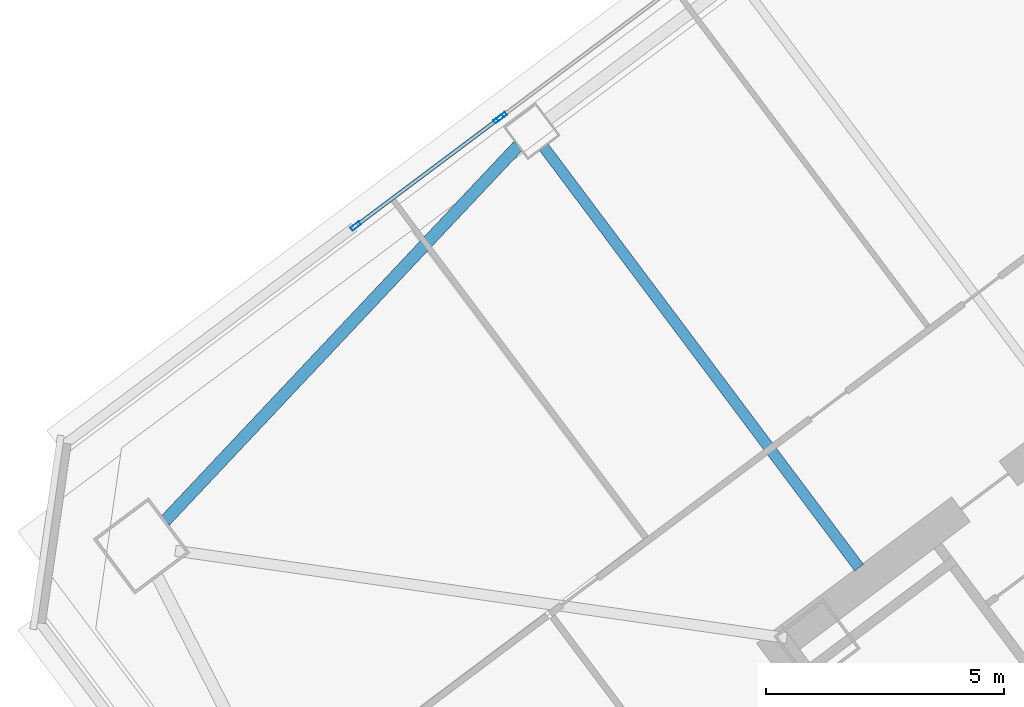
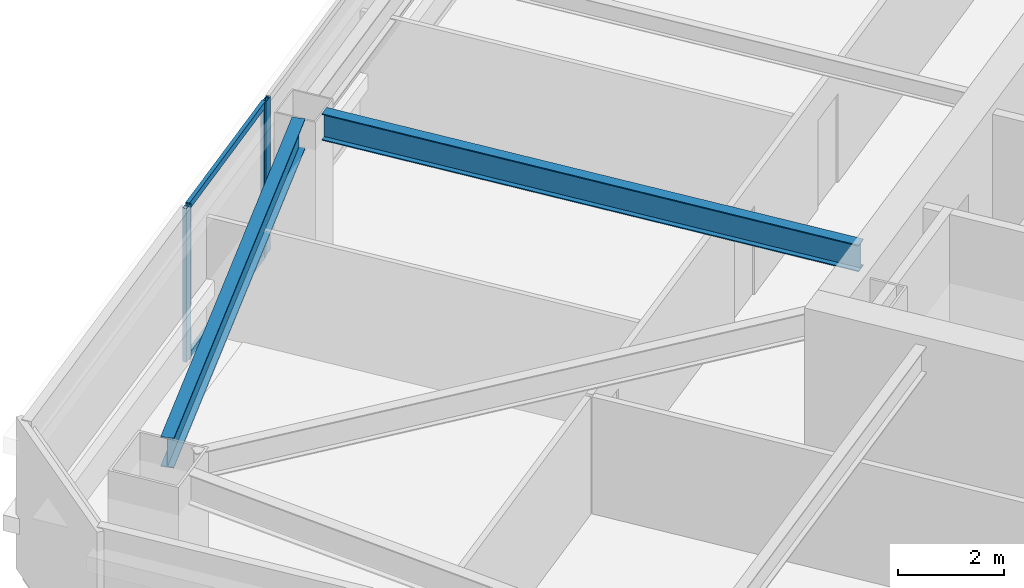
# One storey, part 27 of 44: 5 members, 2 beams, 2 elements without a shape of their own.
"""IFC4 building model written with IfcOpenShell, lengths in metres."""

from ifc_helpers import new_model, si_unit, direction, frame, origin, origin_2d, place, context, subcontext, project, spatial, hollow_rectangle, i_section, extrude, material, material_profile, profile_set, type_object, element, aggregate, save


model = new_model("IFC4")

# Units and contexts
model_context = context("Model", 3, precision=1e-05, world=origin(), true_north=direction((0.0, 1.0)))
body_context = subcontext(model_context, "Body", "Model", "MODEL_VIEW")
ifc_project = project(units=[si_unit("LENGTHUNIT", "METRE"), si_unit("AREAUNIT", "SQUARE_METRE"), si_unit("VOLUMEUNIT", "CUBIC_METRE"), si_unit("PLANEANGLEUNIT", "RADIAN"), si_unit("MASSUNIT", "GRAM", prefix="KILO")], contexts=[model_context])

# Site, building, storey
site_placement = place(None, origin())
site = spatial("IfcSite", under=ifc_project, at=site_placement, CompositionType="ELEMENT")
building_placement = place(site_placement, origin())
building = spatial("IfcBuilding", under=site, at=building_placement, Name="Tashvorn Skyway Center", CompositionType="ELEMENT")
storey_placement = place(building_placement, frame((0.0, 0.0, 74.300048828125)))
storey = spatial("IfcBuildingStorey", under=building, at=storey_placement, Name="L19", CompositionType="ELEMENT", Elevation=74.300048828125)

# Beams
ifc_material_1 = material(Name="Steel ASTM A992 Grade 50", Category="steel")
ifc_material_profile_1 = material_profile(ifc_material_1, i_section(OverallWidth=0.22998046875, OverallDepth=0.616943359375, WebThickness=0.01318359375, FlangeThickness=0.022216796875, at=origin_2d()), Name="W24X94")
ifc_profile_set_1 = profile_set([ifc_material_profile_1], Name="Steel ASTM A992 Grade 50")
beam_type_1 = type_object("IfcBeamType", Name="BM-BEAM-W24X94", PredefinedType="BEAM", material=ifc_profile_set_1)
beam_1_placement = place(storey_placement, frame((98.382080078125, 43.823974609375, 3.04150390625), z_axis=(0.599989394744, -0.800007953832, 0.0), x_axis=(0.800007953832, 0.599989394744, 0.0)))
element("IfcBeam", 1, at=beam_1_placement, inside=storey, type_object=beam_type_1, Name="Tower 2 L19 Primary Floor Girder FC-N2", PredefinedType="BEAM", context=body_context, shape_type="SweptSolid", body=[
    extrude(i_section(OverallWidth=0.22998046875, OverallDepth=0.616943359375, WebThickness=0.01318359375, FlangeThickness=0.022216796875, at=origin_2d()), origin(), (0.0, 0.0, 1.0), 11.050048828125),
])
ifc_material_profile_2 = material_profile(ifc_material_1, i_section(OverallWidth=0.256103515625, OverallDepth=0.693115234375, WebThickness=0.014404296875, FlangeThickness=0.023681640625, at=origin_2d()), Name="W27X114")
ifc_profile_set_2 = profile_set([ifc_material_profile_2], Name="Steel ASTM A992 Grade 50")
beam_type_2 = type_object("IfcBeamType", Name="BM-SPANDREL-W27X114", PredefinedType="SPANDREL", material=ifc_profile_set_2)
beam_2_placement = place(storey_placement, frame((97.842041015625, 43.854248046875, 3.00341796875), z_axis=(-0.685484857238, -0.728086883893, 0.0), x_axis=(0.728086883893, -0.685484857238, 0.0)))
element("IfcBeam", 2, at=beam_2_placement, inside=storey, type_object=beam_type_2, Name="Tower 2 L19 Spandrel Beam 09", PredefinedType="SPANDREL", context=body_context, shape_type="SweptSolid", body=[
    extrude(i_section(OverallWidth=0.256103515625, OverallDepth=0.693115234375, WebThickness=0.014404296875, FlangeThickness=0.023681640625, at=origin_2d()), origin(), (0.0, 0.0, 1.0), 10.8369140625),
])

# Curtain wall, members
ifc_material_2 = material(Name="Thermally broken bronze-anodized aluminium 6063-T6", Category="aluminium")
curtain_wall_type = type_object("IfcCurtainWallType", Name="CW-CW-Z2", PredefinedType="NOTDEFINED", material=ifc_material_2)
curtain_wall_1_placement = place(storey_placement, origin())
curtain_wall_1 = element("IfcCurtainWall", 3, at=curtain_wall_1_placement, inside=storey, type_object=curtain_wall_type, Name="Tower 2 L19 North Unitised Curtain Wall Glazing Group 1", PredefinedType="NOTDEFINED")
ifc_material_profile_3 = material_profile(ifc_material_2, hollow_rectangle(XDim=0.080078125, YDim=0.219970703125, WallThickness=0.0048828125, at=origin_2d()), Name="ALU-MULL-80x220")
ifc_profile_set_3 = profile_set([ifc_material_profile_3], Name="Thermally broken bronze-anodized aluminium 6063-T6")
member_type_1 = type_object("IfcMemberType", Name="CWM-CW-Z2", PredefinedType="MULLION", material=ifc_profile_set_3)
member_1_placement = place(storey_placement, frame((94.424072265625, 42.16796875, 0.0), z_axis=(0.0, 0.0, 1.0), x_axis=(-0.600000000002, 0.799999999998, 0.0)))
member_1 = element("IfcMember", 4, at=member_1_placement, type_object=member_type_1, Name="CW-Z2 mullion 1", PredefinedType="MULLION", context=body_context, shape_type="SweptSolid", body=[
    extrude(hollow_rectangle(XDim=0.080078125, YDim=0.219970703125, WallThickness=0.0048828125, at=origin_2d()), origin(), (0.0, 0.0, 1.0), 3.550048828125),
])
member_2_placement = place(storey_placement, frame((97.431884765625, 44.424072265625, 0.0), z_axis=(0.0, 0.0, 1.0), x_axis=(-0.600000000002, 0.799999999998, 0.0)))
member_2 = element("IfcMember", 5, at=member_2_placement, type_object=member_type_1, Name="CW-Z2 mullion 2", PredefinedType="MULLION", context=body_context, shape_type="SweptSolid", body=[
    extrude(hollow_rectangle(XDim=0.080078125, YDim=0.219970703125, WallThickness=0.0048828125, at=origin_2d()), origin(), (0.0, 0.0, 1.0), 3.550048828125),
])

# Curtain wall, member
curtain_wall_2_placement = place(storey_placement, origin())
curtain_wall_2 = element("IfcCurtainWall", 6, at=curtain_wall_2_placement, inside=storey, type_object=curtain_wall_type, Name="Tower 2 L19 North Unitised Curtain Wall Glazing Group 2", PredefinedType="NOTDEFINED")
member_3_placement = place(storey_placement, frame((97.49609375, 44.471923828125, 0.0), z_axis=(0.0, 0.0, 1.0), x_axis=(-0.600000000002, 0.799999999998, 0.0)))
member_3 = element("IfcMember", 7, at=member_3_placement, type_object=member_type_1, Name="CW-Z2 mullion 1", PredefinedType="MULLION", context=body_context, shape_type="SweptSolid", body=[
    extrude(hollow_rectangle(XDim=0.080078125, YDim=0.219970703125, WallThickness=0.0048828125, at=origin_2d()), origin(), (0.0, 0.0, 1.0), 3.550048828125),
])
aggregate(curtain_wall_2, [member_3])

# Member
ifc_material_profile_4 = material_profile(ifc_material_2, hollow_rectangle(XDim=0.080078125, YDim=0.14990234375, WallThickness=0.00439453125, at=origin_2d()), Name="ALU-TRAN-80x150")
ifc_profile_set_4 = profile_set([ifc_material_profile_4], Name="Thermally broken bronze-anodized aluminium 6063-T6")
member_type_2 = type_object("IfcMemberType", Name="CWT-CW-Z2", PredefinedType="USERDEFINED", material=ifc_profile_set_4)
member_4_placement = place(storey_placement, frame((94.4560546875, 42.19189453125, 0.0400390625), z_axis=(0.799984076997, 0.600021230084, 0.0), x_axis=(-0.600021230084, 0.799984076997, 0.0)))
member_4 = element("IfcMember", 8, at=member_4_placement, type_object=member_type_2, Name="CW-Z2 transom 1.1", ObjectType="TRANSOM", PredefinedType="USERDEFINED", context=body_context, shape_type="SweptSolid", body=[
    extrude(hollow_rectangle(XDim=0.080078125, YDim=0.14990234375, WallThickness=0.00439453125, at=origin_2d()), origin(), (0.0, 0.0, 1.0), 3.679931640625),
])

member_5_placement = place(storey_placement, frame((94.4560546875, 42.19189453125, 3.510009765625), z_axis=(0.799984076997, 0.600021230084, 0.0), x_axis=(-0.600021230084, 0.799984076997, 0.0)))
member_5 = element("IfcMember", 9, at=member_5_placement, type_object=member_type_2, Name="CW-Z2 transom 1.2", ObjectType="TRANSOM", PredefinedType="USERDEFINED", context=body_context, shape_type="SweptSolid", body=[
    extrude(hollow_rectangle(XDim=0.080078125, YDim=0.14990234375, WallThickness=0.00439453125, at=origin_2d()), origin(), (0.0, 0.0, 1.0), 3.679931640625),
])

aggregate(curtain_wall_1, [member_1, member_2, member_4, member_5])

save(model, "model.ifc")
